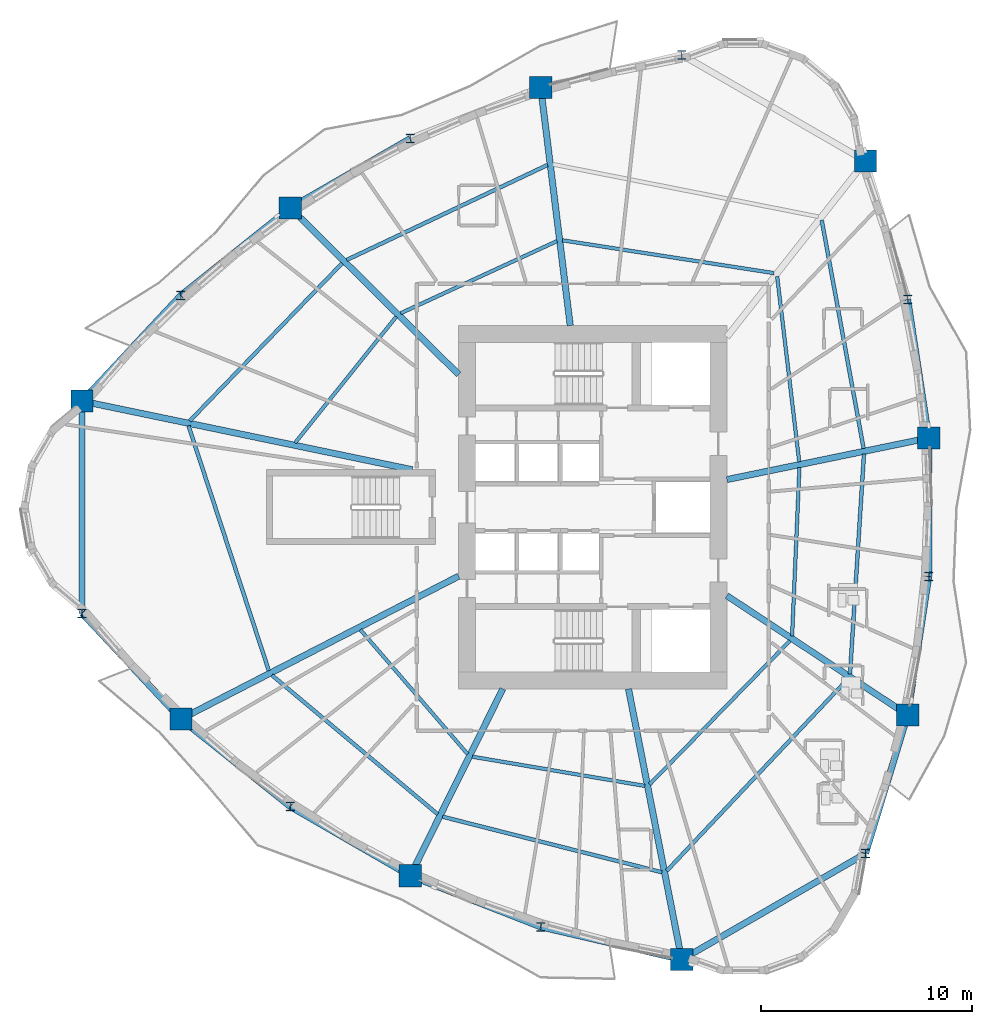
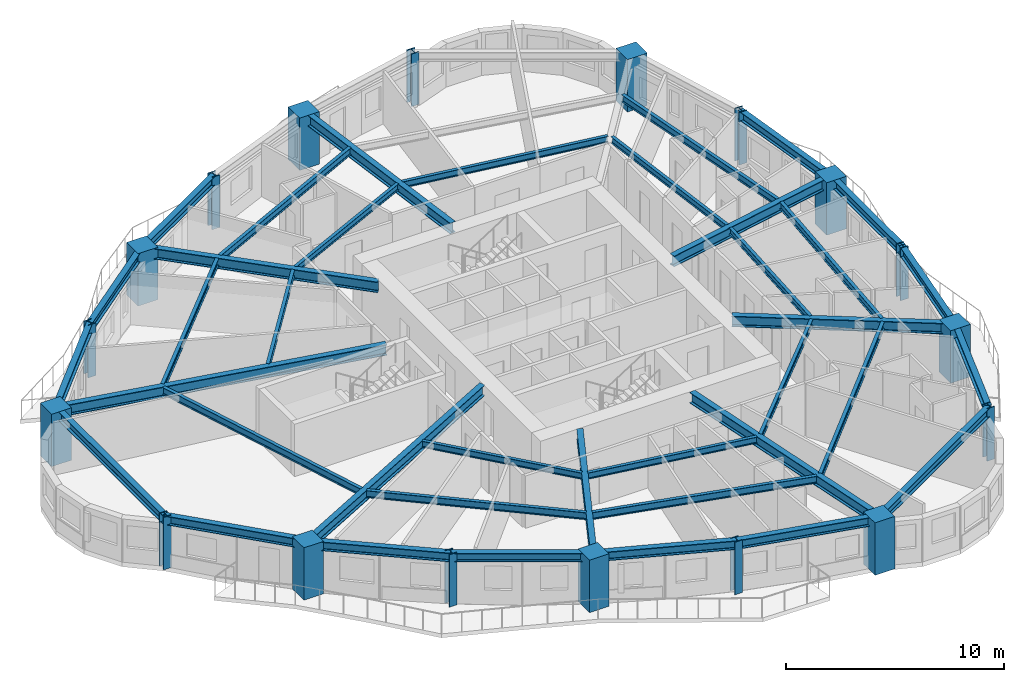
# One storey, part 1 of 13: 38 beams, 18 columns.
"""IFC4 building model written with IfcOpenShell, lengths in metres."""

from ifc_helpers import new_model, si_unit, direction, frame, origin, origin_2d, place, context, subcontext, project, spatial, rectangle, i_section, extrude, source, transform, mapped, material, material_profile, profile_set, type_object, element, save


model = new_model("IFC4")

# Units and contexts
model_context = context("Model", 3, precision=1e-05, world=origin(), true_north=direction((0.0, 1.0)))
body_context = subcontext(model_context, "Body", "Model", "MODEL_VIEW")
ifc_project = project(units=[si_unit("LENGTHUNIT", "METRE"), si_unit("AREAUNIT", "SQUARE_METRE"), si_unit("VOLUMEUNIT", "CUBIC_METRE"), si_unit("PLANEANGLEUNIT", "RADIAN"), si_unit("MASSUNIT", "GRAM", prefix="KILO")], contexts=[model_context])

# Site, building, storey
site_placement = place(None, origin())
site = spatial("IfcSite", under=ifc_project, at=site_placement, CompositionType="ELEMENT")
building_placement = place(site_placement, origin())
building = spatial("IfcBuilding", under=site, at=building_placement, Name="Qafzar Sky-Pleat Residences", CompositionType="ELEMENT")
storey_placement = place(building_placement, frame((0.0, 0.0, 55.800048828125)))
storey = spatial("IfcBuildingStorey", under=building, at=storey_placement, Name="L16", CompositionType="ELEMENT", Elevation=55.800048828125)

# Columns
ifc_material_1 = material(Name="Concrete C60/75", Category="concrete")
ifc_material_profile_1 = material_profile(ifc_material_1, rectangle(XDim=1.050048828125, YDim=1.050048828125, at=origin_2d()), Name="RC 1050x1050")
ifc_profile_set_1 = profile_set([ifc_material_profile_1], Name="Concrete C60/75")
column_type_1 = type_object("IfcColumnType", Name="COL-RC-1050", PredefinedType="COLUMN", material=ifc_profile_set_1)
shared_shape_1 = source(origin(), body_context, "Body", "SweptSolid", [
    extrude(rectangle(XDim=1.050048828125, YDim=1.050048828125, at=origin_2d()), origin(), (0.0, 0.0, 1.0), 2.93994140625),
])
for number, where, z_axis, x_axis, name in (
    (1, (6.175048828125, 31.02294921875, 0.0), (0.0, 0.0, 1.0), (1.0, 0.0, 0.0), "L16 Perimeter Mega Column 1"),
    (2, (10.85595703125, 15.97314453125, 0.0), (0.0, 0.0, 1.0), (1.0, 0.0, 0.0), "L16 Perimeter Mega Column 3"),
    (3, (21.712890625, 8.554443359375, 0.0), (0.0, 0.0, 1.0), (1.0, 0.0, 0.0), "L16 Perimeter Mega Column 5"),
    (4, (34.5625, 4.58740234375, 0.0), (0.0, 0.0, 1.0), (1.0, 0.0, 0.0), "L16 Perimeter Mega Column 7"),
    (5, (45.255615234375, 16.166259765625, 0.0), (0.0, 0.0, 1.0), (1.0, 0.0, 0.0), "L16 Perimeter Mega Column 9"),
    (6, (46.251953125, 29.27783203125, 0.0), (0.0, 0.0, 1.0), (1.0, 0.0, 0.0), "L16 Perimeter Mega Column 11"),
    (7, (43.262451171875, 42.389404296875, 0.0), (0.0, 0.0, 1.0), (1.0, 0.0, 0.0), "L16 Perimeter Mega Column 13"),
    (8, (27.888427734375, 45.860595703125, 0.0), (0.0, 0.0, 1.0), (1.0, 0.0, 0.0), "L16 Perimeter Mega Column 15"),
    (9, (16.035400390625, 40.167724609375, 0.0), (0.0, 0.0, 1.0), (1.0, 0.0, 0.0), "L16 Perimeter Mega Column 17"),
):
    element("IfcColumn", number, at=place(storey_placement, frame(where, z_axis=z_axis, x_axis=x_axis)), inside=storey, type_object=column_type_1, Name=name, PredefinedType="COLUMN", context=body_context, shape_type="MappedRepresentation", body=[
        mapped(shared_shape_1, transform((0.0, 0.0, 0.0), x_axis=(1.0, 0.0, 0.0), y_axis=(0.0, 1.0, 0.0), z_axis=(0.0, 0.0, 1.0), scale=1.0)),
    ])
ifc_material_2 = material(Name="Steel S460", Category="steel")
ifc_material_profile_2 = material_profile(ifc_material_2, i_section(OverallWidth=0.408935546875, OverallDepth=0.425048828125, WebThickness=0.030029296875, FlangeThickness=0.048095703125, FilletRadius=0.014892578125, at=origin_2d()), Name="HD 400x421")
ifc_profile_set_2 = profile_set([ifc_material_profile_2], Name="Steel S460")
column_type_2 = type_object("IfcColumnType", Name="COL-STL-HD421", PredefinedType="PILASTER", material=ifc_profile_set_2)
shared_shape_2 = source(origin(), body_context, "Body", "SweptSolid", [
    extrude(i_section(OverallWidth=0.408935546875, OverallDepth=0.425048828125, WebThickness=0.030029296875, FlangeThickness=0.048095703125, FilletRadius=0.014892578125, at=origin_2d()), origin(), (0.0, 0.0, 1.0), 2.93994140625),
])
for number, where, z_axis, x_axis, name in (
    (10, (6.175048828125, 20.97705078125, 0.0), (0.0, 0.0, 1.0), (1.0, 0.0, 0.0), "L16 Perimeter Mega Column 2"),
    (11, (16.035400390625, 11.832275390625, 0.0), (0.0, 0.0, 1.0), (1.0, 0.0, 0.0), "L16 Perimeter Mega Column 4"),
    (12, (27.888427734375, 6.139404296875, 0.0), (0.0, 0.0, 1.0), (1.0, 0.0, 0.0), "L16 Perimeter Mega Column 6"),
    (13, (43.262451171875, 9.610595703125, 0.0), (0.0, 0.0, 1.0), (1.0, 0.0, 0.0), "L16 Perimeter Mega Column 8"),
    (14, (46.251953125, 22.72216796875, 0.0), (0.0, 0.0, 1.0), (1.0, 0.0, 0.0), "L16 Perimeter Mega Column 10"),
    (15, (45.255615234375, 35.833740234375, 0.0), (0.0, 0.0, 1.0), (1.0, 0.0, 0.0), "L16 Perimeter Mega Column 12"),
    (16, (34.5625, 47.41259765625, 0.0), (0.0, 0.0, 1.0), (1.0, 0.0, 0.0), "L16 Perimeter Mega Column 14"),
    (17, (21.712890625, 43.445556640625, 0.0), (0.0, 0.0, 1.0), (1.0, 0.0, 0.0), "L16 Perimeter Mega Column 16"),
    (18, (10.85595703125, 36.02685546875, 0.0), (0.0, 0.0, 1.0), (1.0, 0.0, 0.0), "L16 Perimeter Mega Column 18"),
):
    element("IfcColumn", number, at=place(storey_placement, frame(where, z_axis=z_axis, x_axis=x_axis)), inside=storey, type_object=column_type_2, Name=name, PredefinedType="PILASTER", context=body_context, shape_type="MappedRepresentation", body=[
        mapped(shared_shape_2, transform((0.0, 0.0, 0.0), x_axis=(1.0, 0.0, 0.0), y_axis=(0.0, 1.0, 0.0), z_axis=(0.0, 0.0, 1.0), scale=1.0)),
    ])

# Beams
ifc_material_3 = material(Name="Steel S355", Category="steel")
ifc_material_profile_3 = material_profile(ifc_material_3, i_section(OverallWidth=0.300048828125, OverallDepth=0.5, WebThickness=0.014404296875, FlangeThickness=0.028076171875, FilletRadius=0.027099609375, at=origin_2d()), Name="HEB 500")
ifc_profile_set_3 = profile_set([ifc_material_profile_3], Name="Steel S355")
beam_type_1 = type_object("IfcBeamType", Name="BM-SPAN-HEB500", PredefinedType="SPANDREL", material=ifc_profile_set_3)
shared_shape_3 = source(origin(), body_context, "Body", "SweptSolid", [
    extrude(i_section(OverallWidth=0.300048828125, OverallDepth=0.5, WebThickness=0.014404296875, FlangeThickness=0.028076171875, FilletRadius=0.027099609375, at=origin_2d()), origin(), (0.0, 0.0, 1.0), 10.0458984375),
])
for number, where, z_axis, x_axis, name in (
    (19, (6.175048828125, 31.02294921875, 2.68798828125), (0.0, -1.0, 0.0), (1.0, 0.0, 0.0), "L16 Perimeter Spandrel Beam 1"),
    (20, (34.5625, 4.58740234375, 2.68798828125), (0.866013584312, 0.500020471368, 0.0), (-0.500020471368, 0.866013584312, 0.0), "L16 Perimeter Spandrel Beam 7"),
):
    element("IfcBeam", number, at=place(storey_placement, frame(where, z_axis=z_axis, x_axis=x_axis)), inside=storey, type_object=beam_type_1, Name=name, PredefinedType="SPANDREL", context=body_context, shape_type="MappedRepresentation", body=[
        mapped(shared_shape_3, transform((0.0, 0.0, 0.0), x_axis=(1.0, 0.0, 0.0), y_axis=(0.0, 1.0, 0.0), z_axis=(0.0, 0.0, 1.0), scale=1.0)),
    ])
shared_shape_4 = source(origin(), body_context, "Body", "SweptSolid", [
    extrude(i_section(OverallWidth=0.300048828125, OverallDepth=0.5, WebThickness=0.014404296875, FlangeThickness=0.028076171875, FilletRadius=0.027099609375, at=origin_2d()), origin(), (0.0, 0.0, 1.0), 6.85205078125),
])
for number, where, z_axis, x_axis, name in (
    (21, (6.175048828125, 20.97705078125, 2.68798828125), (0.683144256595, -0.730283455024, 0.0), (0.730283455024, 0.683144256595, 0.0), "L16 Perimeter Spandrel Beam 2"),
    (22, (27.888427734375, 6.139404296875, 2.68798828125), (0.974011500326, -0.226498559007, 0.0), (0.226498559007, 0.974011500326, 0.0), "L16 Perimeter Spandrel Beam 6"),
    (23, (43.262451171875, 9.610595703125, 2.68798828125), (0.290889380192, 0.95675669242, 0.0), (-0.95675669242, 0.290889380192, 0.0), "L16 Perimeter Spandrel Beam 8"),
    (24, (10.85595703125, 36.02685546875, 2.68798828125), (-0.683144256595, -0.730283455024, 0.0), (0.730283455024, -0.683144256595, 0.0), "L16 Perimeter Spandrel Beam 18"),
):
    element("IfcBeam", number, at=place(storey_placement, frame(where, z_axis=z_axis, x_axis=x_axis)), inside=storey, type_object=beam_type_1, Name=name, PredefinedType="SPANDREL", context=body_context, shape_type="MappedRepresentation", body=[
        mapped(shared_shape_4, transform((0.0, 0.0, 0.0), x_axis=(1.0, 0.0, 0.0), y_axis=(0.0, 1.0, 0.0), z_axis=(0.0, 0.0, 1.0), scale=1.0)),
    ])
shared_shape_5 = source(origin(), body_context, "Body", "SweptSolid", [
    extrude(i_section(OverallWidth=0.300048828125, OverallDepth=0.5, WebThickness=0.014404296875, FlangeThickness=0.028076171875, FilletRadius=0.027099609375, at=origin_2d()), origin(), (0.0, 0.0, 1.0), 6.63134765625),
])
for number, where, z_axis, x_axis, name in (
    (25, (10.85595703125, 15.97314453125, 2.68798828125), (0.781066323429, -0.624448075027, 0.0), (0.624448075027, 0.781066323429, 0.0), "L16 Perimeter Spandrel Beam 3"),
    (26, (16.035400390625, 40.167724609375, 2.68798828125), (-0.781066323429, -0.624448075027, 0.0), (0.624448075027, -0.781066323429, 0.0), "L16 Perimeter Spandrel Beam 17"),
):
    element("IfcBeam", number, at=place(storey_placement, frame(where, z_axis=z_axis, x_axis=x_axis)), inside=storey, type_object=beam_type_1, Name=name, PredefinedType="SPANDREL", context=body_context, shape_type="MappedRepresentation", body=[
        mapped(shared_shape_5, transform((0.0, 0.0, 0.0), x_axis=(1.0, 0.0, 0.0), y_axis=(0.0, 1.0, 0.0), z_axis=(0.0, 0.0, 1.0), scale=1.0)),
    ])
shared_shape_6 = source(origin(), body_context, "Body", "SweptSolid", [
    extrude(i_section(OverallWidth=0.300048828125, OverallDepth=0.5, WebThickness=0.014404296875, FlangeThickness=0.028076171875, FilletRadius=0.027099609375, at=origin_2d()), origin(), (0.0, 0.0, 1.0), 6.5556640625),
])
for number, where, z_axis, x_axis, name in (
    (27, (16.035400390625, 11.832275390625, 2.68798828125), (0.866029927155, -0.499992165211, 0.0), (0.499992165211, 0.866029927155, 0.0), "L16 Perimeter Spandrel Beam 4"),
    (28, (46.251953125, 22.72216796875, 2.68798828125), (0.0, 1.0, 0.0), (-1.0, 0.0, 0.0), "L16 Perimeter Spandrel Beam 10"),
    (29, (21.712890625, 43.445556640625, 2.68798828125), (-0.866029927155, -0.499992165211, 0.0), (0.499992165211, -0.866029927155, 0.0), "L16 Perimeter Spandrel Beam 16"),
):
    element("IfcBeam", number, at=place(storey_placement, frame(where, z_axis=z_axis, x_axis=x_axis)), inside=storey, type_object=beam_type_1, Name=name, PredefinedType="SPANDREL", context=body_context, shape_type="MappedRepresentation", body=[
        mapped(shared_shape_6, transform((0.0, 0.0, 0.0), x_axis=(1.0, 0.0, 0.0), y_axis=(0.0, 1.0, 0.0), z_axis=(0.0, 0.0, 1.0), scale=1.0)),
    ])
shared_shape_7 = source(origin(), body_context, "Body", "SweptSolid", [
    extrude(i_section(OverallWidth=0.300048828125, OverallDepth=0.5, WebThickness=0.014404296875, FlangeThickness=0.028076171875, FilletRadius=0.027099609375, at=origin_2d()), origin(), (0.0, 0.0, 1.0), 6.630859375),
])
beam_1_placement = place(storey_placement, frame((21.712890625, 8.554443359375, 2.68798828125), z_axis=(0.931318267356, -0.364206376782, 0.0), x_axis=(0.364206376782, 0.931318267356, 0.0)))
element("IfcBeam", 30, at=beam_1_placement, inside=storey, type_object=beam_type_1, Name="L16 Perimeter Spandrel Beam 5", PredefinedType="SPANDREL", context=body_context, shape_type="MappedRepresentation", body=[
    mapped(shared_shape_7, transform((0.0, 0.0, 0.0), x_axis=(1.0, 0.0, 0.0), y_axis=(0.0, 1.0, 0.0), z_axis=(0.0, 0.0, 1.0), scale=1.0)),
])
shared_shape_8 = source(origin(), body_context, "Body", "SweptSolid", [
    extrude(i_section(OverallWidth=0.300048828125, OverallDepth=0.5, WebThickness=0.014404296875, FlangeThickness=0.028076171875, FilletRadius=0.027099609375, at=origin_2d()), origin(), (0.0, 0.0, 1.0), 6.631103515625),
])
for number, where, z_axis, x_axis, name in (
    (31, (45.255615234375, 16.166259765625, 2.68798828125), (0.150250341483, 0.988647983301, 0.0), (-0.988647983301, 0.150250341483, 0.0), "L16 Perimeter Spandrel Beam 9"),
    (32, (46.251953125, 29.27783203125, 2.68798828125), (-0.150250341483, 0.988647983301, 0.0), (-0.988647983301, -0.150250341483, 0.0), "L16 Perimeter Spandrel Beam 11"),
):
    element("IfcBeam", number, at=place(storey_placement, frame(where, z_axis=z_axis, x_axis=x_axis)), inside=storey, type_object=beam_type_1, Name=name, PredefinedType="SPANDREL", context=body_context, shape_type="MappedRepresentation", body=[
        mapped(shared_shape_8, transform((0.0, 0.0, 0.0), x_axis=(1.0, 0.0, 0.0), y_axis=(0.0, 1.0, 0.0), z_axis=(0.0, 0.0, 1.0), scale=1.0)),
    ])
ifc_material_profile_4 = material_profile(ifc_material_3, i_section(OverallWidth=0.300048828125, OverallDepth=0.60009765625, WebThickness=0.015380859375, FlangeThickness=0.030029296875, FilletRadius=0.027099609375, at=origin_2d()), Name="HEB 600")
ifc_profile_set_4 = profile_set([ifc_material_profile_4], Name="Steel S355")
beam_type_2 = type_object("IfcBeamType", Name="BM-GIRD-HEB600", PredefinedType="BEAM", material=ifc_profile_set_4)
shared_shape_9 = source(origin(), body_context, "Body", "SweptSolid", [
    extrude(i_section(OverallWidth=0.300048828125, OverallDepth=0.60009765625, WebThickness=0.015380859375, FlangeThickness=0.030029296875, FilletRadius=0.027099609375, at=origin_2d()), origin(), (0.0, 0.0, 1.0), 15.9658203125),
])
beam_2_placement = place(storey_placement, frame((6.175048828125, 31.02294921875, 2.637939453125), z_axis=(0.979087655723, -0.20343884194, 0.0), x_axis=(0.20343884194, 0.979087655723, 0.0)))
element("IfcBeam", 33, at=beam_2_placement, inside=storey, type_object=beam_type_2, Name="L16 Radial Floor Girder 1", PredefinedType="BEAM", context=body_context, shape_type="MappedRepresentation", body=[
    mapped(shared_shape_9, transform((0.0, 0.0, 0.0), x_axis=(1.0, 0.0, 0.0), y_axis=(0.0, 1.0, 0.0), z_axis=(0.0, 0.0, 1.0), scale=1.0)),
])
shared_shape_10 = source(origin(), body_context, "Body", "SweptSolid", [
    extrude(i_section(OverallWidth=0.300048828125, OverallDepth=0.60009765625, WebThickness=0.015380859375, FlangeThickness=0.030029296875, FilletRadius=0.027099609375, at=origin_2d()), origin(), (0.0, 0.0, 1.0), 14.78076171875),
])
beam_3_placement = place(storey_placement, frame((10.85595703125, 15.97314453125, 2.637939453125), z_axis=(0.889261697254, 0.457398768906, 0.0), x_axis=(-0.457398768906, 0.889261697254, 0.0)))
element("IfcBeam", 34, at=beam_3_placement, inside=storey, type_object=beam_type_2, Name="L16 Radial Floor Girder 3", PredefinedType="BEAM", context=body_context, shape_type="MappedRepresentation", body=[
    mapped(shared_shape_10, transform((0.0, 0.0, 0.0), x_axis=(1.0, 0.0, 0.0), y_axis=(0.0, 1.0, 0.0), z_axis=(0.0, 0.0, 1.0), scale=1.0)),
])
shared_shape_11 = source(origin(), body_context, "Body", "SweptSolid", [
    extrude(i_section(OverallWidth=0.300048828125, OverallDepth=0.60009765625, WebThickness=0.015380859375, FlangeThickness=0.030029296875, FilletRadius=0.027099609375, at=origin_2d()), origin(), (0.0, 0.0, 1.0), 9.8701171875),
])
beam_4_placement = place(storey_placement, frame((21.712890625, 8.554443359375, 2.637939453125), z_axis=(0.44369776666, 0.896176484773, 0.0), x_axis=(-0.896176484773, 0.44369776666, 0.0)))
element("IfcBeam", 35, at=beam_4_placement, inside=storey, type_object=beam_type_2, Name="L16 Radial Floor Girder 5", PredefinedType="BEAM", context=body_context, shape_type="MappedRepresentation", body=[
    mapped(shared_shape_11, transform((0.0, 0.0, 0.0), x_axis=(1.0, 0.0, 0.0), y_axis=(0.0, 1.0, 0.0), z_axis=(0.0, 0.0, 1.0), scale=1.0)),
])
shared_shape_12 = source(origin(), body_context, "Body", "SweptSolid", [
    extrude(i_section(OverallWidth=0.300048828125, OverallDepth=0.60009765625, WebThickness=0.015380859375, FlangeThickness=0.030029296875, FilletRadius=0.027099609375, at=origin_2d()), origin(), (0.0, 0.0, 1.0), 13.05810546875),
])
beam_5_placement = place(storey_placement, frame((34.5625, 4.58740234375, 2.637939453125), z_axis=(-0.193023040618, 0.981194224295, 0.0), x_axis=(-0.981194224295, -0.193023040618, 0.0)))
element("IfcBeam", 36, at=beam_5_placement, inside=storey, type_object=beam_type_2, Name="L16 Radial Floor Girder 7", PredefinedType="BEAM", context=body_context, shape_type="MappedRepresentation", body=[
    mapped(shared_shape_12, transform((0.0, 0.0, 0.0), x_axis=(1.0, 0.0, 0.0), y_axis=(0.0, 1.0, 0.0), z_axis=(0.0, 0.0, 1.0), scale=1.0)),
])
shared_shape_13 = source(origin(), body_context, "Body", "SweptSolid", [
    extrude(i_section(OverallWidth=0.300048828125, OverallDepth=0.60009765625, WebThickness=0.015380859375, FlangeThickness=0.030029296875, FilletRadius=0.027099609375, at=origin_2d()), origin(), (0.0, 0.0, 1.0), 10.25),
])
beam_6_placement = place(storey_placement, frame((45.255615234375, 16.166259765625, 2.637939453125), z_axis=(-0.834708385067, 0.550692211584, 0.0), x_axis=(-0.550692211584, -0.834708385067, 0.0)))
element("IfcBeam", 37, at=beam_6_placement, inside=storey, type_object=beam_type_2, Name="L16 Radial Floor Girder 9", PredefinedType="BEAM", context=body_context, shape_type="MappedRepresentation", body=[
    mapped(shared_shape_13, transform((0.0, 0.0, 0.0), x_axis=(1.0, 0.0, 0.0), y_axis=(0.0, 1.0, 0.0), z_axis=(0.0, 0.0, 1.0), scale=1.0)),
])
shared_shape_14 = source(origin(), body_context, "Body", "SweptSolid", [
    extrude(i_section(OverallWidth=0.300048828125, OverallDepth=0.60009765625, WebThickness=0.015380859375, FlangeThickness=0.030029296875, FilletRadius=0.027099609375, at=origin_2d()), origin(), (0.0, 0.0, 1.0), 9.7529296875),
])
beam_7_placement = place(storey_placement, frame((46.251953125, 29.27783203125, 2.637939453125), z_axis=(-0.979408299393, -0.201889531875, 0.0), x_axis=(0.201889531875, -0.979408299393, 0.0)))
element("IfcBeam", 38, at=beam_7_placement, inside=storey, type_object=beam_type_2, Name="L16 Radial Floor Girder 11", PredefinedType="BEAM", context=body_context, shape_type="MappedRepresentation", body=[
    mapped(shared_shape_14, transform((0.0, 0.0, 0.0), x_axis=(1.0, 0.0, 0.0), y_axis=(0.0, 1.0, 0.0), z_axis=(0.0, 0.0, 1.0), scale=1.0)),
])
shared_shape_15 = source(origin(), body_context, "Body", "SweptSolid", [
    extrude(i_section(OverallWidth=0.300048828125, OverallDepth=0.60009765625, WebThickness=0.015380859375, FlangeThickness=0.030029296875, FilletRadius=0.027099609375, at=origin_2d()), origin(), (0.0, 0.0, 1.0), 11.3466796875),
])
beam_8_placement = place(storey_placement, frame((27.888427734375, 45.860595703125, 2.637939453125), z_axis=(0.123009821066, -0.992405453392, 0.0), x_axis=(0.992405453392, 0.123009821066, 0.0)))
element("IfcBeam", 39, at=beam_8_placement, inside=storey, type_object=beam_type_2, Name="L16 Radial Floor Girder 15", PredefinedType="BEAM", context=body_context, shape_type="MappedRepresentation", body=[
    mapped(shared_shape_15, transform((0.0, 0.0, 0.0), x_axis=(1.0, 0.0, 0.0), y_axis=(0.0, 1.0, 0.0), z_axis=(0.0, 0.0, 1.0), scale=1.0)),
])
shared_shape_16 = source(origin(), body_context, "Body", "SweptSolid", [
    extrude(i_section(OverallWidth=0.300048828125, OverallDepth=0.60009765625, WebThickness=0.015380859375, FlangeThickness=0.030029296875, FilletRadius=0.027099609375, at=origin_2d()), origin(), (0.0, 0.0, 1.0), 11.2060546875),
])
beam_9_placement = place(storey_placement, frame((16.035400390625, 40.167724609375, 2.637939453125), z_axis=(0.710746632195, -0.703448096751, 0.0), x_axis=(0.703448096751, 0.710746632195, 0.0)))
element("IfcBeam", 40, at=beam_9_placement, inside=storey, type_object=beam_type_2, Name="L16 Radial Floor Girder 17", PredefinedType="BEAM", context=body_context, shape_type="MappedRepresentation", body=[
    mapped(shared_shape_16, transform((0.0, 0.0, 0.0), x_axis=(1.0, 0.0, 0.0), y_axis=(0.0, 1.0, 0.0), z_axis=(0.0, 0.0, 1.0), scale=1.0)),
])
ifc_material_profile_5 = material_profile(ifc_material_3, i_section(OverallWidth=0.179931640625, OverallDepth=0.39990234375, WebThickness=0.008544921875, FlangeThickness=0.013427734375, FilletRadius=0.02099609375, at=origin_2d()), Name="IPE 400")
ifc_profile_set_5 = profile_set([ifc_material_profile_5], Name="Steel S355")
beam_type_3 = type_object("IfcBeamType", Name="BM-JST-IPE400", PredefinedType="JOIST", material=ifc_profile_set_5)
shared_shape_17 = source(origin(), body_context, "Body", "SweptSolid", [
    extrude(i_section(OverallWidth=0.179931640625, OverallDepth=0.39990234375, WebThickness=0.008544921875, FlangeThickness=0.013427734375, FilletRadius=0.02099609375, at=origin_2d()), origin(), (0.0, 0.0, 1.0), 12.197509765625),
])
beam_10_placement = place(storey_placement, frame((11.21923828125, 29.855224609375, 2.738037109375), z_axis=(0.311600442653, -0.950213220356, 0.0), x_axis=(0.950213220356, 0.311600442653, 0.0)))
element("IfcBeam", 41, at=beam_10_placement, inside=storey, type_object=beam_type_3, Name="L16 Outer Secondary Floor Joist 1", PredefinedType="JOIST", context=body_context, shape_type="MappedRepresentation", body=[
    mapped(shared_shape_17, transform((0.0, 0.0, 0.0), x_axis=(1.0, 0.0, 0.0), y_axis=(0.0, 1.0, 0.0), z_axis=(0.0, 0.0, 1.0), scale=1.0)),
])
shared_shape_18 = source(origin(), body_context, "Body", "SweptSolid", [
    extrude(i_section(OverallWidth=0.179931640625, OverallDepth=0.39990234375, WebThickness=0.008544921875, FlangeThickness=0.013427734375, FilletRadius=0.02099609375, at=origin_2d()), origin(), (0.0, 0.0, 1.0), 10.238037109375),
])
beam_11_placement = place(storey_placement, frame((15.16552734375, 18.0498046875, 2.738037109375), z_axis=(0.766274860115, -0.642512909408, 0.0), x_axis=(0.642512909408, 0.766274860115, 0.0)))
element("IfcBeam", 42, at=beam_11_placement, inside=storey, type_object=beam_type_3, Name="L16 Outer Secondary Floor Joist 2", PredefinedType="JOIST", context=body_context, shape_type="MappedRepresentation", body=[
    mapped(shared_shape_18, transform((0.0, 0.0, 0.0), x_axis=(1.0, 0.0, 0.0), y_axis=(0.0, 1.0, 0.0), z_axis=(0.0, 0.0, 1.0), scale=1.0)),
])
shared_shape_19 = source(origin(), body_context, "Body", "SweptSolid", [
    extrude(i_section(OverallWidth=0.179931640625, OverallDepth=0.39990234375, WebThickness=0.008544921875, FlangeThickness=0.013427734375, FilletRadius=0.02099609375, at=origin_2d()), origin(), (0.0, 0.0, 1.0), 10.708251953125),
])
beam_12_placement = place(storey_placement, frame((23.2451171875, 11.351806640625, 2.738037109375), z_axis=(0.969343343065, -0.245710161074, 0.0), x_axis=(0.245710161074, 0.969343343065, 0.0)))
element("IfcBeam", 43, at=beam_12_placement, inside=storey, type_object=beam_type_3, Name="L16 Outer Secondary Floor Joist 3", PredefinedType="JOIST", context=body_context, shape_type="MappedRepresentation", body=[
    mapped(shared_shape_19, transform((0.0, 0.0, 0.0), x_axis=(1.0, 0.0, 0.0), y_axis=(0.0, 1.0, 0.0), z_axis=(0.0, 0.0, 1.0), scale=1.0)),
])
shared_shape_20 = source(origin(), body_context, "Body", "SweptSolid", [
    extrude(i_section(OverallWidth=0.179931640625, OverallDepth=0.39990234375, WebThickness=0.008544921875, FlangeThickness=0.013427734375, FilletRadius=0.02099609375, at=origin_2d()), origin(), (0.0, 0.0, 1.0), 12.496337890625),
])
beam_13_placement = place(storey_placement, frame((33.8486328125, 8.78564453125, 2.738037109375), z_axis=(0.68631540496, 0.727304038841, 0.0), x_axis=(-0.727304038841, 0.68631540496, 0.0)))
element("IfcBeam", 44, at=beam_13_placement, inside=storey, type_object=beam_type_3, Name="L16 Outer Secondary Floor Joist 4", PredefinedType="JOIST", context=body_context, shape_type="MappedRepresentation", body=[
    mapped(shared_shape_20, transform((0.0, 0.0, 0.0), x_axis=(1.0, 0.0, 0.0), y_axis=(0.0, 1.0, 0.0), z_axis=(0.0, 0.0, 1.0), scale=1.0)),
])
shared_shape_21 = source(origin(), body_context, "Body", "SweptSolid", [
    extrude(i_section(OverallWidth=0.179931640625, OverallDepth=0.39990234375, WebThickness=0.008544921875, FlangeThickness=0.013427734375, FilletRadius=0.02099609375, at=origin_2d()), origin(), (0.0, 0.0, 1.0), 10.427001953125),
])
beam_14_placement = place(storey_placement, frame((42.5263671875, 18.107177734375, 2.738037109375), z_axis=(0.06333597045, 0.997992261917, 0.0), x_axis=(-0.997992261917, 0.06333597045, 0.0)))
element("IfcBeam", 45, at=beam_14_placement, inside=storey, type_object=beam_type_3, Name="L16 Outer Secondary Floor Joist 5", PredefinedType="JOIST", context=body_context, shape_type="MappedRepresentation", body=[
    mapped(shared_shape_21, transform((0.0, 0.0, 0.0), x_axis=(1.0, 0.0, 0.0), y_axis=(0.0, 1.0, 0.0), z_axis=(0.0, 0.0, 1.0), scale=1.0)),
])
shared_shape_22 = source(origin(), body_context, "Body", "SweptSolid", [
    extrude(i_section(OverallWidth=0.179931640625, OverallDepth=0.39990234375, WebThickness=0.008544921875, FlangeThickness=0.013427734375, FilletRadius=0.02099609375, at=origin_2d()), origin(), (0.0, 0.0, 1.0), 10.9912109375),
])
beam_15_placement = place(storey_placement, frame((43.1708984375, 28.780517578125, 2.738037109375), z_axis=(-0.180495845154, 0.983575746896, 0.0), x_axis=(-0.983575746896, -0.180495845154, 0.0)))
element("IfcBeam", 46, at=beam_15_placement, inside=storey, type_object=beam_type_3, Name="L16 Outer Secondary Floor Joist 6", PredefinedType="JOIST", context=body_context, shape_type="MappedRepresentation", body=[
    mapped(shared_shape_22, transform((0.0, 0.0, 0.0), x_axis=(1.0, 0.0, 0.0), y_axis=(0.0, 1.0, 0.0), z_axis=(0.0, 0.0, 1.0), scale=1.0)),
])
shared_shape_23 = source(origin(), body_context, "Body", "SweptSolid", [
    extrude(i_section(OverallWidth=0.179931640625, OverallDepth=0.39990234375, WebThickness=0.008544921875, FlangeThickness=0.013427734375, FilletRadius=0.02099609375, at=origin_2d()), origin(), (0.0, 0.0, 1.0), 10.516845703125),
])
beam_16_placement = place(storey_placement, frame((28.213134765625, 42.199462890625, 2.738037109375), z_axis=(-0.903986792831, -0.427560379815, 0.0), x_axis=(0.427560379815, -0.903986792831, 0.0)))
element("IfcBeam", 47, at=beam_16_placement, inside=storey, type_object=beam_type_3, Name="L16 Outer Secondary Floor Joist 8", PredefinedType="JOIST", context=body_context, shape_type="MappedRepresentation", body=[
    mapped(shared_shape_23, transform((0.0, 0.0, 0.0), x_axis=(1.0, 0.0, 0.0), y_axis=(0.0, 1.0, 0.0), z_axis=(0.0, 0.0, 1.0), scale=1.0)),
])
shared_shape_24 = source(origin(), body_context, "Body", "SweptSolid", [
    extrude(i_section(OverallWidth=0.179931640625, OverallDepth=0.39990234375, WebThickness=0.008544921875, FlangeThickness=0.013427734375, FilletRadius=0.02099609375, at=origin_2d()), origin(), (0.0, 0.0, 1.0), 10.38671875),
])
beam_17_placement = place(storey_placement, frame((18.490234375, 37.548095703125, 2.738037109375), z_axis=(-0.695053283652, -0.718958227496, 0.0), x_axis=(0.718958227496, -0.695053283652, 0.0)))
element("IfcBeam", 48, at=beam_17_placement, inside=storey, type_object=beam_type_3, Name="L16 Outer Secondary Floor Joist 9", PredefinedType="JOIST", context=body_context, shape_type="MappedRepresentation", body=[
    mapped(shared_shape_24, transform((0.0, 0.0, 0.0), x_axis=(1.0, 0.0, 0.0), y_axis=(0.0, 1.0, 0.0), z_axis=(0.0, 0.0, 1.0), scale=1.0)),
])
ifc_material_profile_6 = material_profile(ifc_material_3, i_section(OverallWidth=0.169921875, OverallDepth=0.360107421875, WebThickness=0.008056640625, FlangeThickness=0.0126953125, FilletRadius=0.01806640625, at=origin_2d()), Name="IPE 360")
ifc_profile_set_6 = profile_set([ifc_material_profile_6], Name="Steel S355")
beam_type_4 = type_object("IfcBeamType", Name="BM-JST-IPE360", PredefinedType="JOIST", material=ifc_profile_set_6)
shared_shape_25 = source(origin(), body_context, "Body", "SweptSolid", [
    extrude(i_section(OverallWidth=0.169921875, OverallDepth=0.360107421875, WebThickness=0.008056640625, FlangeThickness=0.0126953125, FilletRadius=0.01806640625, at=origin_2d()), origin(), (0.0, 0.0, 1.0), 7.7646484375),
])
beam_18_placement = place(storey_placement, frame((19.356201171875, 20.19775390625, 2.758056640625), z_axis=(0.653118734641, -0.757255517287, 0.0), x_axis=(0.757255517287, 0.653118734641, 0.0)))
element("IfcBeam", 49, at=beam_18_placement, inside=storey, type_object=beam_type_4, Name="L16 Inner Secondary Floor Joist 2", PredefinedType="JOIST", context=body_context, shape_type="MappedRepresentation", body=[
    mapped(shared_shape_25, transform((0.0, 0.0, 0.0), x_axis=(1.0, 0.0, 0.0), y_axis=(0.0, 1.0, 0.0), z_axis=(0.0, 0.0, 1.0), scale=1.0)),
])
shared_shape_26 = source(origin(), body_context, "Body", "SweptSolid", [
    extrude(i_section(OverallWidth=0.169921875, OverallDepth=0.360107421875, WebThickness=0.008056640625, FlangeThickness=0.0126953125, FilletRadius=0.01806640625, at=origin_2d()), origin(), (0.0, 0.0, 1.0), 8.28369140625),
])
beam_19_placement = place(storey_placement, frame((24.648681640625, 14.193115234375, 2.758056640625), z_axis=(0.985963648514, -0.166960126407, 0.0), x_axis=(0.166960126407, 0.985963648514, 0.0)))
element("IfcBeam", 50, at=beam_19_placement, inside=storey, type_object=beam_type_4, Name="L16 Inner Secondary Floor Joist 3", PredefinedType="JOIST", context=body_context, shape_type="MappedRepresentation", body=[
    mapped(shared_shape_26, transform((0.0, 0.0, 0.0), x_axis=(1.0, 0.0, 0.0), y_axis=(0.0, 1.0, 0.0), z_axis=(0.0, 0.0, 1.0), scale=1.0)),
])
shared_shape_27 = source(origin(), body_context, "Body", "SweptSolid", [
    extrude(i_section(OverallWidth=0.169921875, OverallDepth=0.360107421875, WebThickness=0.008056640625, FlangeThickness=0.0126953125, FilletRadius=0.01806640625, at=origin_2d()), origin(), (0.0, 0.0, 1.0), 9.504150390625),
])
beam_20_placement = place(storey_placement, frame((33.043701171875, 12.884033203125, 2.758056640625), z_axis=(0.698838877273, 0.715279122869, 0.0), x_axis=(-0.715279122869, 0.698838877273, 0.0)))
element("IfcBeam", 51, at=beam_20_placement, inside=storey, type_object=beam_type_4, Name="L16 Inner Secondary Floor Joist 4", PredefinedType="JOIST", context=body_context, shape_type="MappedRepresentation", body=[
    mapped(shared_shape_27, transform((0.0, 0.0, 0.0), x_axis=(1.0, 0.0, 0.0), y_axis=(0.0, 1.0, 0.0), z_axis=(0.0, 0.0, 1.0), scale=1.0)),
])
shared_shape_28 = source(origin(), body_context, "Body", "SweptSolid", [
    extrude(i_section(OverallWidth=0.169921875, OverallDepth=0.360107421875, WebThickness=0.008056640625, FlangeThickness=0.0126953125, FilletRadius=0.01806640625, at=origin_2d()), origin(), (0.0, 0.0, 1.0), 7.976806640625),
])
beam_21_placement = place(storey_placement, frame((39.785888671875, 19.91357421875, 2.758056640625), z_axis=(0.043491680487, 0.999053789207, 0.0), x_axis=(-0.999053789207, 0.043491680487, 0.0)))
element("IfcBeam", 52, at=beam_21_placement, inside=storey, type_object=beam_type_4, Name="L16 Inner Secondary Floor Joist 5", PredefinedType="JOIST", context=body_context, shape_type="MappedRepresentation", body=[
    mapped(shared_shape_28, transform((0.0, 0.0, 0.0), x_axis=(1.0, 0.0, 0.0), y_axis=(0.0, 1.0, 0.0), z_axis=(0.0, 0.0, 1.0), scale=1.0)),
])
shared_shape_29 = source(origin(), body_context, "Body", "SweptSolid", [
    extrude(i_section(OverallWidth=0.169921875, OverallDepth=0.360107421875, WebThickness=0.008056640625, FlangeThickness=0.0126953125, FilletRadius=0.01806640625, at=origin_2d()), origin(), (0.0, 0.0, 1.0), 8.834716796875),
])
beam_22_placement = place(storey_placement, frame((40.122802734375, 28.15185546875, 2.758056640625), z_axis=(-0.118192777896, 0.992990668261, 0.0), x_axis=(-0.992990668261, -0.118192777896, 0.0)))
element("IfcBeam", 53, at=beam_22_placement, inside=storey, type_object=beam_type_4, Name="L16 Inner Secondary Floor Joist 6", PredefinedType="JOIST", context=body_context, shape_type="MappedRepresentation", body=[
    mapped(shared_shape_29, transform((0.0, 0.0, 0.0), x_axis=(1.0, 0.0, 0.0), y_axis=(0.0, 1.0, 0.0), z_axis=(0.0, 0.0, 1.0), scale=1.0)),
])
shared_shape_30 = source(origin(), body_context, "Body", "SweptSolid", [
    extrude(i_section(OverallWidth=0.169921875, OverallDepth=0.360107421875, WebThickness=0.008056640625, FlangeThickness=0.0126953125, FilletRadius=0.01806640625, at=origin_2d()), origin(), (0.0, 0.0, 1.0), 10.134033203125),
])
beam_23_placement = place(storey_placement, frame((38.92919921875, 37.079345703125, 2.758056640625), z_axis=(-0.988177050056, 0.153317049748, 0.0), x_axis=(-0.153317049748, -0.988177050056, 0.0)))
element("IfcBeam", 54, at=beam_23_placement, inside=storey, type_object=beam_type_4, Name="L16 Inner Secondary Floor Joist 7", PredefinedType="JOIST", context=body_context, shape_type="MappedRepresentation", body=[
    mapped(shared_shape_30, transform((0.0, 0.0, 0.0), x_axis=(1.0, 0.0, 0.0), y_axis=(0.0, 1.0, 0.0), z_axis=(0.0, 0.0, 1.0), scale=1.0)),
])
shared_shape_31 = source(origin(), body_context, "Body", "SweptSolid", [
    extrude(i_section(OverallWidth=0.169921875, OverallDepth=0.360107421875, WebThickness=0.008056640625, FlangeThickness=0.0126953125, FilletRadius=0.01806640625, at=origin_2d()), origin(), (0.0, 0.0, 1.0), 8.15478515625),
])
beam_24_placement = place(storey_placement, frame((28.6591796875, 38.59716796875, 2.758056640625), z_axis=(-0.907920825462, -0.419141711946, 0.0), x_axis=(0.419141711946, -0.907920825462, 0.0)))
element("IfcBeam", 55, at=beam_24_placement, inside=storey, type_object=beam_type_4, Name="L16 Inner Secondary Floor Joist 8", PredefinedType="JOIST", context=body_context, shape_type="MappedRepresentation", body=[
    mapped(shared_shape_31, transform((0.0, 0.0, 0.0), x_axis=(1.0, 0.0, 0.0), y_axis=(0.0, 1.0, 0.0), z_axis=(0.0, 0.0, 1.0), scale=1.0)),
])
shared_shape_32 = source(origin(), body_context, "Body", "SweptSolid", [
    extrude(i_section(OverallWidth=0.169921875, OverallDepth=0.360107421875, WebThickness=0.008056640625, FlangeThickness=0.0126953125, FilletRadius=0.01806640625, at=origin_2d()), origin(), (0.0, 0.0, 1.0), 7.64892578125),
])
beam_25_placement = place(storey_placement, frame((21.04833984375, 35.017333984375, 2.758056640625), z_axis=(-0.625508242846, -0.780217558205, 0.0), x_axis=(0.780217558205, -0.625508242846, 0.0)))
element("IfcBeam", 56, at=beam_25_placement, inside=storey, type_object=beam_type_4, Name="L16 Inner Secondary Floor Joist 9", PredefinedType="JOIST", context=body_context, shape_type="MappedRepresentation", body=[
    mapped(shared_shape_32, transform((0.0, 0.0, 0.0), x_axis=(1.0, 0.0, 0.0), y_axis=(0.0, 1.0, 0.0), z_axis=(0.0, 0.0, 1.0), scale=1.0)),
])

save(model, "model.ifc")
